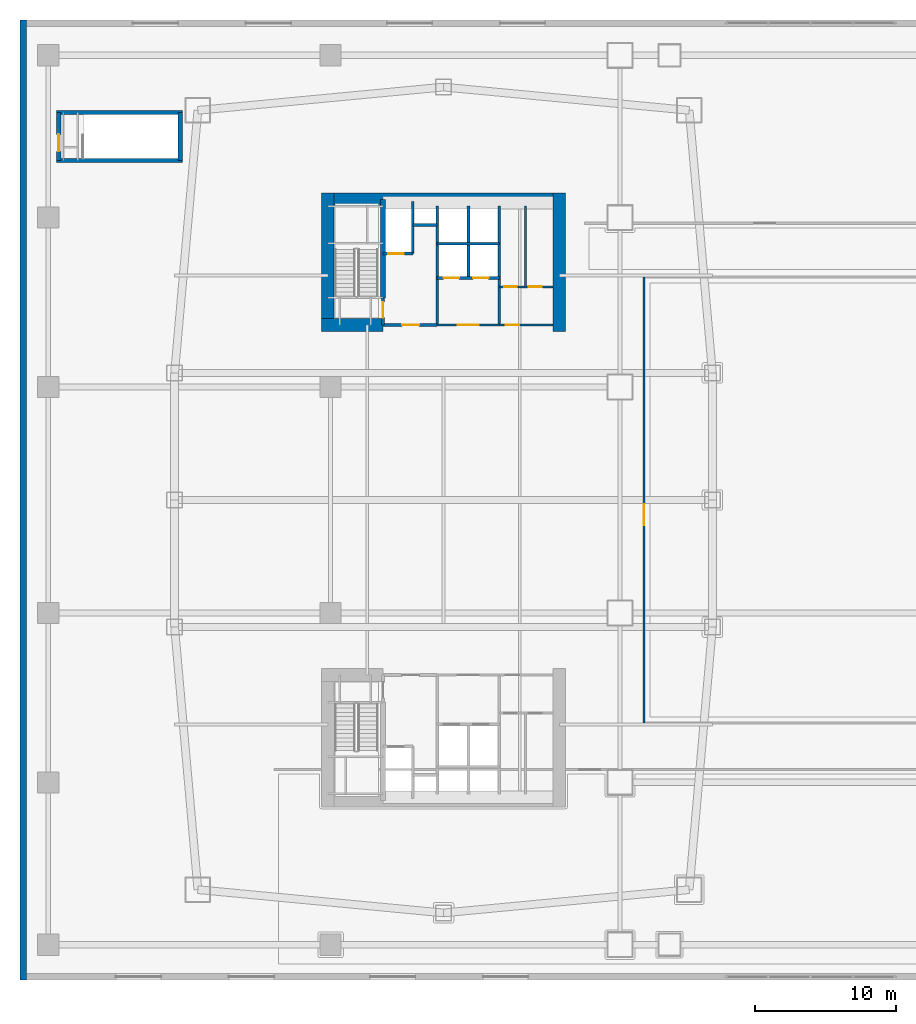
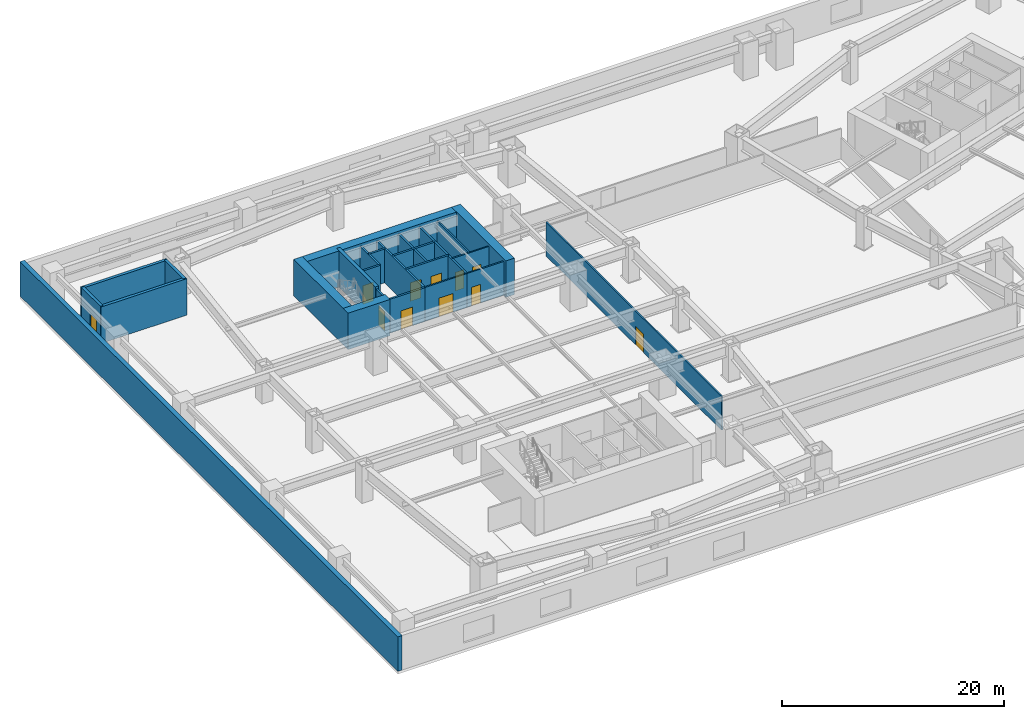
# One storey, part 16 of 25: 25 walls, 11 doors, 11 openings.
"""IFC4 building model written with IfcOpenShell, lengths in metres."""

from ifc_helpers import new_model, si_unit, direction, frame, frame_2d, origin, place, context, subcontext, project, spatial, rectangle, extrude, material, layer, layer_set, type_object, element, fill, save


model = new_model("IFC4")

# Units and contexts
model_context = context("Model", 3, precision=1e-05, world=origin(), true_north=direction((0.0, 1.0)))
body_context = subcontext(model_context, "Body", "Model", "MODEL_VIEW")
ifc_project = project(units=[si_unit("LENGTHUNIT", "METRE"), si_unit("AREAUNIT", "SQUARE_METRE"), si_unit("VOLUMEUNIT", "CUBIC_METRE"), si_unit("PLANEANGLEUNIT", "RADIAN"), si_unit("MASSUNIT", "GRAM", prefix="KILO")], contexts=[model_context])

# Site, building, storey
site_placement = place(None, origin())
site = spatial("IfcSite", under=ifc_project, at=site_placement, CompositionType="ELEMENT")
building_placement = place(site_placement, origin())
building = spatial("IfcBuilding", under=site, at=building_placement, Name="Qiaolan Cultural Towers", CompositionType="ELEMENT")
storey_placement = place(building_placement, frame((0.0, 0.0, 22.0)))
storey = spatial("IfcBuildingStorey", under=building, at=storey_placement, Name="L04", CompositionType="ELEMENT", Elevation=22.0)

# Walls
ifc_material_1 = material(Name="Concrete C50", Category="concrete")
ifc_layer_1 = layer(ifc_material_1, 0.35009765625)
ifc_layer_set_1 = layer_set([ifc_layer_1], Name="Concrete C50")
wall_type_1 = type_object("IfcWallType", Name="WL-CORE-350", PredefinedType="SHEAR", material=ifc_layer_set_1)
wall_1_placement = place(storey_placement, frame((25.719970703125, 48.300048828125, 0.0), z_axis=(0.0, 0.0, 1.0), x_axis=(0.0, 1.0, 0.0)))
element("IfcWall", 1, at=wall_1_placement, inside=storey, type_object=wall_type_1, Name="L04 T1-CN Stair Core Dividing Web", PredefinedType="SHEAR", context=body_context, shape_type="SweptSolid", body=[
    extrude(rectangle(XDim=6.97998046875, YDim=0.35009765625, at=frame_2d((3.489990234375, 0.0))), origin(), (0.0, 0.0, 1.0), 4.0),
])
for number, where, z_axis, x_axis, name in (
    (2, (2.60009765625, 58.050048828125, 0.0), (0.0, 0.0, 1.0), (1.0, 0.0, 0.0), "L04 STP1 Stair Shaft Wall S"),
    (3, (2.60009765625, 61.449951171875, 0.0), (0.0, 0.0, 1.0), (1.0, 0.0, 0.0), "L04 STP1 Stair Shaft Wall N"),
):
    element("IfcWall", number, at=place(storey_placement, frame(where, z_axis=z_axis, x_axis=x_axis)), inside=storey, type_object=wall_type_1, Name=name, PredefinedType="SHEAR", context=body_context, shape_type="SweptSolid", body=[
        extrude(rectangle(XDim=8.89990234375, YDim=0.300048828125, at=frame_2d((4.449951171875, 0.0))), origin(), (0.0, 0.0, 1.0), 4.0),
    ])
wall_2_placement = place(storey_placement, frame((11.35009765625, 58.050048828125, 0.0), z_axis=(0.0, 0.0, 1.0), x_axis=(0.0, 1.0, 0.0)))
element("IfcWall", 4, at=wall_2_placement, inside=storey, type_object=wall_type_1, Name="L04 STP1 Stair Shaft Wall E", PredefinedType="SHEAR", context=body_context, shape_type="SweptSolid", body=[
    extrude(rectangle(XDim=3.39990234375, YDim=0.300048828125, at=frame_2d((1.699951171875, 0.0))), origin(), (0.0, 0.0, 1.0), 4.0),
])

# Wall, opening, door
wall_3_placement = place(storey_placement, frame((2.75, 58.050048828125, 0.0), z_axis=(0.0, 0.0, 1.0), x_axis=(0.0, 1.0, 0.0)))
wall_3 = element("IfcWall", 5, at=wall_3_placement, inside=storey, type_object=wall_type_1, Name="L04 STP1 Stair Shaft Wall W", PredefinedType="SHEAR", context=body_context, shape_type="SweptSolid", body=[
    extrude(rectangle(XDim=3.39990234375, YDim=0.300048828125, at=frame_2d((1.699951171875, 0.0))), origin(), (0.0, 0.0, 1.0), 4.0),
])
opening_1_placement = place(wall_3_placement, frame((0.64990234375, 0.0, 0.0)))
opening_1 = element("IfcOpeningElement", 6, at=opening_1_placement, cuts=wall_3, Name="Opening FD-03", PredefinedType="OPENING", context=body_context, shape_type="SweptSolid", body=[
    extrude(rectangle(XDim=1.199951171875, YDim=2.050048828125, at=frame_2d((0.60009765625, 1.02490234375))), frame((0.0, 0.159912109375, 0.0), z_axis=(0.0, -1.0, 0.0), x_axis=(1.0, 0.0, 0.0)), (0.0, 0.0, 1.0), 0.320068359375),
])
ifc_material_2 = material(Name="Galvanized Steel Smokeproof Lobby Fire Door", Category="steel")
door_type_1 = type_object("IfcDoorType", Name="DR-FD90-1200", OperationType="NOTDEFINED", PredefinedType="DOOR", material=ifc_material_2)
door_1_placement = place(opening_1_placement, origin())
door_1 = element("IfcDoor", 7, at=door_1_placement, inside=storey, type_object=door_type_1, Name="L04 Exit Stair ST-P1 Fire Door", OperationType="SINGLE_SWING_LEFT", OverallHeight=2.050048828125, OverallWidth=1.199951171875, PredefinedType="DOOR", context=body_context, shape_type="SweptSolid", body=[
    extrude(rectangle(XDim=1.199951171875, YDim=2.050048828125, at=frame_2d((0.60009765625, 1.02490234375))), frame((0.0, 0.02490234375, 0.0), z_axis=(0.0, -1.0, 0.0), x_axis=(1.0, 0.0, 0.0)), (0.0, 0.0, 1.0), 0.050048828125),
])
fill(opening_1, door_1)

# Walls
ifc_material_3 = material(Name="Concrete C60", Category="concrete")
ifc_layer_2 = layer(ifc_material_3, 0.89990234375)
ifc_layer_set_2 = layer_set([ifc_layer_2], Name="Concrete C60")
wall_type_2 = type_object("IfcWallType", Name="WL-CORE-900", PredefinedType="SHEAR", material=ifc_layer_set_2)
wall_4_placement = place(storey_placement, frame((21.35009765625, 55.280029296875, 0.0), z_axis=(0.0, 0.0, 1.0), x_axis=(1.0, 0.0, 0.0)))
element("IfcWall", 8, at=wall_4_placement, inside=storey, type_object=wall_type_2, Name="L04 T1-CN Outer Core Shear Wall", PredefinedType="SHEAR", context=body_context, shape_type="SweptSolid", body=[
    extrude(rectangle(XDim=17.2998046875, YDim=0.89990234375, at=frame_2d((8.64990234375, 0.0))), origin(), (0.0, 0.0, 1.0), 4.0),
])
for number, where, z_axis, x_axis, name in (
    (9, (21.800048828125, 45.949951171875, 0.0), (0.0, 0.0, 1.0), (0.0, 1.0, 0.0), "L04 T1-CN West Core Shear Wall"),
    (10, (38.199951171875, 45.949951171875, 0.0), (0.0, 0.0, 1.0), (0.0, 1.0, 0.0), "L04 T1-CN East Core Shear Wall"),
):
    element("IfcWall", number, at=place(storey_placement, frame(where, z_axis=z_axis, x_axis=x_axis)), inside=storey, type_object=wall_type_2, Name=name, PredefinedType="SHEAR", context=body_context, shape_type="SweptSolid", body=[
        extrude(rectangle(XDim=9.780029296875, YDim=0.89990234375, at=frame_2d((4.89013671875, 0.0))), origin(), (0.0, 0.0, 1.0), 4.0),
    ])
wall_5_placement = place(storey_placement, frame((21.35009765625, 46.39990234375, 0.0), z_axis=(0.0, 0.0, 1.0), x_axis=(1.0, 0.0, 0.0)))
element("IfcWall", 11, at=wall_5_placement, inside=storey, type_object=wall_type_2, Name="L04 T1-CN Stair Front Shear Wall", PredefinedType="SHEAR", context=body_context, shape_type="SweptSolid", body=[
    extrude(rectangle(XDim=4.369873046875, YDim=0.89990234375, at=frame_2d((2.18505859375, 0.0))), origin(), (0.0, 0.0, 1.0), 4.0),
])
ifc_material_4 = material(Name="Precast Concrete C50 Bush-Hammered Granite Pier", Category="masonry")
ifc_layer_3 = layer(ifc_material_4, 0.449951171875)
ifc_layer_set_3 = layer_set([ifc_layer_3], Name="Precast Concrete C50 Bush-Hammered Granite Pier")
wall_type_3 = type_object("IfcWallType", Name="WL-EXT-POD-450", PredefinedType="SOLIDWALL", material=ifc_layer_set_3)
wall_6_placement = place(storey_placement, frame((0.22509765625, 0.0, 0.0), z_axis=(0.0, 0.0, 1.0), x_axis=(0.0, 1.0, 0.0)))
element("IfcWall", 12, at=wall_6_placement, inside=storey, type_object=wall_type_3, Name="L04 Podium Precast Facade Wall WEST", PredefinedType="SOLIDWALL", context=body_context, shape_type="SweptSolid", body=[
    extrude(rectangle(XDim=68.0, YDim=0.449951171875, at=frame_2d((34.0, 0.0))), origin(), (0.0, 0.0, 1.0), 3.780029296875),
])

# Wall, opening, door
ifc_material_5 = material(Name="Concrete C35 Fire Wall", Category="concrete")
ifc_layer_4 = layer(ifc_material_5, 0.199951171875)
ifc_layer_set_4 = layer_set([ifc_layer_4], Name="Concrete C35 Fire Wall")
wall_type_4 = type_object("IfcWallType", Name="WL-FIRE-200", PredefinedType="PARTITIONING", material=ifc_layer_set_4)
wall_7_placement = place(storey_placement, frame((25.719970703125, 46.39990234375, 0.0), z_axis=(0.0, 0.0, 1.0), x_axis=(0.0, 1.0, 0.0)))
wall_7 = element("IfcWall", 13, at=wall_7_placement, inside=storey, type_object=wall_type_4, Name="L04 T1-CN Smokeproof Stair Entry Wall", PredefinedType="PARTITIONING", context=body_context, shape_type="SweptSolid", body=[
    extrude(rectangle(XDim=1.900146484375, YDim=0.199951171875, at=frame_2d((0.9501953125, 0.0))), origin(), (0.0, 0.0, 1.0), 3.72509765625),
])
opening_2_placement = place(wall_7_placement, frame((0.52001953125, 0.0, 0.0)))
opening_2 = element("IfcOpeningElement", 14, at=opening_2_placement, cuts=wall_7, Name="Opening FD-04", PredefinedType="OPENING", context=body_context, shape_type="SweptSolid", body=[
    extrude(rectangle(XDim=1.10009765625, YDim=2.050048828125, at=frame_2d((0.550048828125, 1.02490234375))), frame((0.0, 0.10986328125, 0.0), z_axis=(0.0, -1.0, 0.0), x_axis=(1.0, 0.0, 0.0)), (0.0, 0.0, 1.0), 0.219970703125),
])
ifc_material_6 = material(Name="Galvanized Steel Command Fire Door", Category="steel")
door_type_2 = type_object("IfcDoorType", Name="DR-FD90-1100", OperationType="NOTDEFINED", PredefinedType="DOOR", material=ifc_material_6)
door_2_placement = place(opening_2_placement, origin())
door_2 = element("IfcDoor", 15, at=door_2_placement, inside=storey, type_object=door_type_2, Name="L04 ST-W2 Smokeproof Stair Fire Door", OperationType="SINGLE_SWING_LEFT", OverallHeight=2.050048828125, OverallWidth=1.10009765625, PredefinedType="DOOR", context=body_context, shape_type="SweptSolid", body=[
    extrude(rectangle(XDim=1.10009765625, YDim=2.050048828125, at=frame_2d((0.550048828125, 1.02490234375))), frame((0.0, 0.02490234375, 0.0), z_axis=(0.0, -1.0, 0.0), x_axis=(1.0, 0.0, 0.0)), (0.0, 0.0, 1.0), 0.050048828125),
])
fill(opening_2, door_2)

# Wall
wall_8_placement = place(storey_placement, frame((29.550048828125, 46.39990234375, 0.0), z_axis=(0.0, 0.0, 1.0), x_axis=(0.0, 1.0, 0.0)))
element("IfcWall", 16, at=wall_8_placement, inside=storey, type_object=wall_type_4, Name="L04 T1-CN Firefighting Zone Wall", PredefinedType="PARTITIONING", context=body_context, shape_type="SweptSolid", body=[
    extrude(rectangle(XDim=8.43017578125, YDim=0.199951171875, at=frame_2d((4.215087890625, 0.0))), origin(), (0.0, 0.0, 1.0), 3.72509765625),
])

# Wall, opening, door
wall_9_placement = place(storey_placement, frame((25.719970703125, 46.39990234375, 0.0), z_axis=(0.0, 0.0, 1.0), x_axis=(1.0, 0.0, 0.0)))
wall_9 = element("IfcWall", 17, at=wall_9_placement, inside=storey, type_object=wall_type_4, Name="L04 T1-CN Firefighting Lobby Front Wall", PredefinedType="PARTITIONING", context=body_context, shape_type="SweptSolid", body=[
    extrude(rectangle(XDim=3.830078125, YDim=0.199951171875, at=frame_2d((1.9150390625, 0.0))), origin(), (0.0, 0.0, 1.0), 3.72509765625),
])
opening_3_placement = place(wall_9_placement, frame((1.35009765625, 0.0, 0.0)))
opening_3 = element("IfcOpeningElement", 18, at=opening_3_placement, cuts=wall_9, Name="Opening FD-03", PredefinedType="OPENING", context=body_context, shape_type="SweptSolid", body=[
    extrude(rectangle(XDim=1.199951171875, YDim=2.050048828125, at=frame_2d((0.60009765625, 1.02490234375))), frame((0.0, 0.10986328125, 0.0), z_axis=(0.0, -1.0, 0.0), x_axis=(1.0, 0.0, 0.0)), (0.0, 0.0, 1.0), 0.219970703125),
])
door_3_placement = place(opening_3_placement, origin())
door_3 = element("IfcDoor", 19, at=door_3_placement, inside=storey, type_object=door_type_1, Name="L04 FFL-W2 Firefighting Lobby Fire Door", OperationType="SINGLE_SWING_LEFT", OverallHeight=2.050048828125, OverallWidth=1.199951171875, PredefinedType="DOOR", context=body_context, shape_type="SweptSolid", body=[
    extrude(rectangle(XDim=1.199951171875, YDim=2.050048828125, at=frame_2d((0.60009765625, 1.02490234375))), frame((0.0, 0.02490234375, 0.0), z_axis=(0.0, -1.0, 0.0), x_axis=(1.0, 0.0, 0.0)), (0.0, 0.0, 1.0), 0.050048828125),
])
fill(opening_3, door_3)

wall_10_placement = place(storey_placement, frame((25.719970703125, 51.449951171875, 0.0), z_axis=(0.0, 0.0, 1.0), x_axis=(1.0, 0.0, 0.0)))
wall_10 = element("IfcWall", 20, at=wall_10_placement, inside=storey, type_object=wall_type_4, Name="L04 T1-CN Firefighting Shaft Front Wall", PredefinedType="PARTITIONING", context=body_context, shape_type="SweptSolid", body=[
    extrude(rectangle(XDim=2.10009765625, YDim=0.199951171875, at=frame_2d((1.050048828125, 0.0))), origin(), (0.0, 0.0, 1.0), 3.72509765625),
])
opening_4_placement = place(wall_10_placement, frame((0.35009765625, 0.0, 0.0)))
opening_4 = element("IfcOpeningElement", 21, at=opening_4_placement, cuts=wall_10, Name="Opening LD-01", PredefinedType="OPENING", context=body_context, shape_type="SweptSolid", body=[
    extrude(rectangle(XDim=1.10009765625, YDim=2.050048828125, at=frame_2d((0.550048828125, 1.02490234375))), frame((0.0, 0.10986328125, 0.0), z_axis=(0.0, -1.0, 0.0), x_axis=(1.0, 0.0, 0.0)), (0.0, 0.0, 1.0), 0.219970703125),
])
ifc_material_7 = material(Name="Brushed Stainless Steel S30408 Centre-Parting Lift Landing Door", Category="steel")
door_type_3 = type_object("IfcDoorType", Name="DR-LIFT-1100", OperationType="NOTDEFINED", PredefinedType="DOOR", material=ifc_material_7)
door_4_placement = place(opening_4_placement, origin())
door_4 = element("IfcDoor", 22, at=door_4_placement, inside=storey, type_object=door_type_3, Name="L04 FFL-W2 Firefighting Lift Landing Door", OperationType="DOUBLE_DOOR_SLIDING", OverallHeight=2.050048828125, OverallWidth=1.10009765625, PredefinedType="DOOR", context=body_context, shape_type="SweptSolid", body=[
    extrude(rectangle(XDim=1.10009765625, YDim=2.050048828125, at=frame_2d((0.550048828125, 1.02490234375))), frame((0.0, 0.02490234375, 0.0), z_axis=(0.0, -1.0, 0.0), x_axis=(1.0, 0.0, 0.0)), (0.0, 0.0, 1.0), 0.050048828125),
])
fill(opening_4, door_4)

# Walls
wall_11_placement = place(storey_placement, frame((27.820068359375, 51.449951171875, 0.0), z_axis=(0.0, 0.0, 1.0), x_axis=(0.0, 1.0, 0.0)))
element("IfcWall", 23, at=wall_11_placement, inside=storey, type_object=wall_type_4, Name="L04 T1-CN Firefighting Hoistway East Wall", PredefinedType="PARTITIONING", context=body_context, shape_type="SweptSolid", body=[
    extrude(rectangle(XDim=3.699951171875, YDim=0.199951171875, at=frame_2d((1.85009765625, 0.0))), origin(), (0.0, 0.0, 1.0), 3.72509765625),
])
wall_12_placement = place(storey_placement, frame((27.820068359375, 53.47998046875, 0.0), z_axis=(0.0, 0.0, 1.0), x_axis=(1.0, 0.0, 0.0)))
element("IfcWall", 24, at=wall_12_placement, inside=storey, type_object=wall_type_4, Name="L04 T1-CN Pressurization Shaft Front Wall", PredefinedType="PARTITIONING", context=body_context, shape_type="SweptSolid", body=[
    extrude(rectangle(XDim=1.72998046875, YDim=0.199951171875, at=frame_2d((0.864990234375, 0.0))), origin(), (0.0, 0.0, 1.0), 3.72509765625),
])
wall_13_placement = place(storey_placement, frame((33.949951171875, 46.39990234375, 0.0), z_axis=(0.0, 0.0, 1.0), x_axis=(0.0, 1.0, 0.0)))
element("IfcWall", 25, at=wall_13_placement, inside=storey, type_object=wall_type_4, Name="L04 T1-CN Lift Core East Wall", PredefinedType="PARTITIONING", context=body_context, shape_type="SweptSolid", body=[
    extrude(rectangle(XDim=8.43017578125, YDim=0.199951171875, at=frame_2d((4.215087890625, 0.0))), origin(), (0.0, 0.0, 1.0), 3.72509765625),
])

# Wall, openings, doors
wall_14_placement = place(storey_placement, frame((29.550048828125, 49.719970703125, 0.0), z_axis=(0.0, 0.0, 1.0), x_axis=(1.0, 0.0, 0.0)))
wall_14 = element("IfcWall", 26, at=wall_14_placement, inside=storey, type_object=wall_type_4, Name="L04 T1-CN Passenger Lift Shaft Front Wall", PredefinedType="PARTITIONING", context=body_context, shape_type="SweptSolid", body=[
    extrude(rectangle(XDim=4.39990234375, YDim=0.199951171875, at=frame_2d((2.199951171875, 0.0))), origin(), (0.0, 0.0, 1.0), 3.72509765625),
])
opening_5_placement = place(wall_14_placement, frame((0.449951171875, 0.0, 0.0)))
opening_5 = element("IfcOpeningElement", 27, at=opening_5_placement, cuts=wall_14, Name="Opening LD-01", PredefinedType="OPENING", context=body_context, shape_type="SweptSolid", body=[
    extrude(rectangle(XDim=1.10009765625, YDim=2.050048828125, at=frame_2d((0.550048828125, 1.02490234375))), frame((0.0, 0.10986328125, 0.0), z_axis=(0.0, -1.0, 0.0), x_axis=(1.0, 0.0, 0.0)), (0.0, 0.0, 1.0), 0.219970703125),
])
opening_6_placement = place(wall_14_placement, frame((2.550048828125, 0.0, 0.0)))
opening_6 = element("IfcOpeningElement", 28, at=opening_6_placement, cuts=wall_14, Name="Opening LD-01", PredefinedType="OPENING", context=body_context, shape_type="SweptSolid", body=[
    extrude(rectangle(XDim=1.10009765625, YDim=2.050048828125, at=frame_2d((0.550048828125, 1.02490234375))), frame((0.0, 0.10986328125, 0.0), z_axis=(0.0, -1.0, 0.0), x_axis=(1.0, 0.0, 0.0)), (0.0, 0.0, 1.0), 0.219970703125),
])
door_5_placement = place(opening_5_placement, origin())
door_5 = element("IfcDoor", 29, at=door_5_placement, inside=storey, type_object=door_type_3, Name="L04 Passenger Lift 1 Landing Door", OperationType="DOUBLE_DOOR_SLIDING", OverallHeight=2.050048828125, OverallWidth=1.10009765625, PredefinedType="DOOR", context=body_context, shape_type="SweptSolid", body=[
    extrude(rectangle(XDim=1.10009765625, YDim=2.050048828125, at=frame_2d((0.550048828125, 1.02490234375))), frame((0.0, 0.02490234375, 0.0), z_axis=(0.0, -1.0, 0.0), x_axis=(1.0, 0.0, 0.0)), (0.0, 0.0, 1.0), 0.050048828125),
])
fill(opening_5, door_5)
door_6_placement = place(opening_6_placement, origin())
door_6 = element("IfcDoor", 30, at=door_6_placement, inside=storey, type_object=door_type_3, Name="L04 Passenger Lift 2 Landing Door", OperationType="DOUBLE_DOOR_SLIDING", OverallHeight=2.050048828125, OverallWidth=1.10009765625, PredefinedType="DOOR", context=body_context, shape_type="SweptSolid", body=[
    extrude(rectangle(XDim=1.10009765625, YDim=2.050048828125, at=frame_2d((0.550048828125, 1.02490234375))), frame((0.0, 0.02490234375, 0.0), z_axis=(0.0, -1.0, 0.0), x_axis=(1.0, 0.0, 0.0)), (0.0, 0.0, 1.0), 0.050048828125),
])
fill(opening_6, door_6)

# Walls
wall_15_placement = place(storey_placement, frame((31.780029296875, 49.719970703125, 0.0), z_axis=(0.0, 0.0, 1.0), x_axis=(0.0, 1.0, 0.0)))
element("IfcWall", 31, at=wall_15_placement, inside=storey, type_object=wall_type_4, Name="L04 T1-CN Lift Shaft Divider Wall", PredefinedType="PARTITIONING", context=body_context, shape_type="SweptSolid", body=[
    extrude(rectangle(XDim=5.110107421875, YDim=0.199951171875, at=frame_2d((2.55517578125, 0.0))), origin(), (0.0, 0.0, 1.0), 3.72509765625),
])
wall_16_placement = place(storey_placement, frame((29.550048828125, 52.14990234375, 0.0), z_axis=(0.0, 0.0, 1.0), x_axis=(1.0, 0.0, 0.0)))
element("IfcWall", 32, at=wall_16_placement, inside=storey, type_object=wall_type_4, Name="L04 T1-CN Passenger Lift Shaft Back Wall", PredefinedType="PARTITIONING", context=body_context, shape_type="SweptSolid", body=[
    extrude(rectangle(XDim=4.39990234375, YDim=0.199951171875, at=frame_2d((2.199951171875, 0.0))), origin(), (0.0, 0.0, 1.0), 3.72509765625),
])

# Wall, opening, door
ifc_material_8 = material(Name="Autoclaved Aerated Concrete Block B06", Category="concrete")
ifc_layer_5 = layer(ifc_material_8, 0.14990234375)
ifc_layer_set_5 = layer_set([ifc_layer_5], Name="Autoclaved Aerated Concrete Block B06")
wall_type_5 = type_object("IfcWallType", Name="WL-PART-150", PredefinedType="PARTITIONING", material=ifc_layer_set_5)
wall_17_placement = place(storey_placement, frame((29.550048828125, 46.39990234375, 0.0), z_axis=(0.0, 0.0, 1.0), x_axis=(1.0, 0.0, 0.0)))
wall_17 = element("IfcWall", 33, at=wall_17_placement, inside=storey, type_object=wall_type_5, Name="L04 T1-CN Passenger Lift Lobby Front Wall", PredefinedType="PARTITIONING", context=body_context, shape_type="SweptSolid", body=[
    extrude(rectangle(XDim=4.39990234375, YDim=0.14990234375, at=frame_2d((2.199951171875, 0.0))), origin(), (0.0, 0.0, 1.0), 3.72509765625),
])
opening_7_placement = place(wall_17_placement, frame((1.449951171875, 0.0, 0.0)))
opening_7 = element("IfcOpeningElement", 34, at=opening_7_placement, cuts=wall_17, Name="Opening FD-05", PredefinedType="OPENING", context=body_context, shape_type="SweptSolid", body=[
    extrude(rectangle(XDim=1.5, YDim=2.050048828125, at=frame_2d((0.75, 1.02490234375))), frame((0.0, 0.0849609375, 0.0), z_axis=(0.0, -1.0, 0.0), x_axis=(1.0, 0.0, 0.0)), (0.0, 0.0, 1.0), 0.169921875),
])
ifc_material_9 = material(Name="Painted Steel Lift Lobby Fire Door", Category="steel")
door_type_4 = type_object("IfcDoorType", Name="DR-FD60-1500", OperationType="NOTDEFINED", PredefinedType="DOOR", material=ifc_material_9)
door_7_placement = place(opening_7_placement, origin())
door_7 = element("IfcDoor", 35, at=door_7_placement, inside=storey, type_object=door_type_4, Name="L04 Passenger Lift Lobby Entrance", OperationType="SINGLE_SWING_LEFT", OverallHeight=2.050048828125, OverallWidth=1.5, PredefinedType="DOOR", context=body_context, shape_type="SweptSolid", body=[
    extrude(rectangle(XDim=1.5, YDim=2.050048828125, at=frame_2d((0.75, 1.02490234375))), frame((0.0, 0.02490234375, 0.0), z_axis=(0.0, -1.0, 0.0), x_axis=(1.0, 0.0, 0.0)), (0.0, 0.0, 1.0), 0.050048828125),
])
fill(opening_7, door_7)

wall_18_placement = place(storey_placement, frame((33.949951171875, 46.39990234375, 0.0), z_axis=(0.0, 0.0, 1.0), x_axis=(1.0, 0.0, 0.0)))
wall_18 = element("IfcWall", 36, at=wall_18_placement, inside=storey, type_object=wall_type_5, Name="L04 T1-CN Sanitary Core Front Wall", PredefinedType="PARTITIONING", context=body_context, shape_type="SweptSolid", body=[
    extrude(rectangle(XDim=3.800048828125, YDim=0.14990234375, at=frame_2d((1.89990234375, 0.0))), origin(), (0.0, 0.0, 1.0), 3.72509765625),
])
opening_8_placement = place(wall_18_placement, frame((0.449951171875, 0.0, 0.0)))
opening_8 = element("IfcOpeningElement", 37, at=opening_8_placement, cuts=wall_18, Name="Opening ID-05", PredefinedType="OPENING", context=body_context, shape_type="SweptSolid", body=[
    extrude(rectangle(XDim=0.949951171875, YDim=2.050048828125, at=frame_2d((0.47509765625, 1.02490234375))), frame((0.0, 0.0849609375, 0.0), z_axis=(0.0, -1.0, 0.0), x_axis=(1.0, 0.0, 0.0)), (0.0, 0.0, 1.0), 0.169921875),
])
ifc_material_10 = material(Name="Fire-Rated Laminate Accessible Core Door", Category="timber")
door_type_5 = type_object("IfcDoorType", Name="DR-INT-950", OperationType="NOTDEFINED", PredefinedType="DOOR", material=ifc_material_10)
door_8_placement = place(opening_8_placement, origin())
door_8 = element("IfcDoor", 38, at=door_8_placement, inside=storey, type_object=door_type_5, Name="L04 Sanitary Vestibule Door", OperationType="SINGLE_SWING_LEFT", OverallHeight=2.050048828125, OverallWidth=0.949951171875, PredefinedType="DOOR", context=body_context, shape_type="SweptSolid", body=[
    extrude(rectangle(XDim=0.949951171875, YDim=2.050048828125, at=frame_2d((0.47509765625, 1.02490234375))), frame((0.0, 0.02490234375, 0.0), z_axis=(0.0, -1.0, 0.0), x_axis=(1.0, 0.0, 0.0)), (0.0, 0.0, 1.0), 0.050048828125),
])
fill(opening_8, door_8)

# Wall, openings, doors
wall_19_placement = place(storey_placement, frame((33.949951171875, 49.10009765625, 0.0), z_axis=(0.0, 0.0, 1.0), x_axis=(1.0, 0.0, 0.0)))
wall_19 = element("IfcWall", 39, at=wall_19_placement, inside=storey, type_object=wall_type_5, Name="L04 T1-CN Restroom Vestibule Wall", PredefinedType="PARTITIONING", context=body_context, shape_type="SweptSolid", body=[
    extrude(rectangle(XDim=3.800048828125, YDim=0.14990234375, at=frame_2d((1.89990234375, 0.0))), origin(), (0.0, 0.0, 1.0), 3.72509765625),
])
opening_9_placement = place(wall_19_placement, frame((0.35009765625, 0.0, 0.0)))
opening_9 = element("IfcOpeningElement", 40, at=opening_9_placement, cuts=wall_19, Name="Opening ID-06", PredefinedType="OPENING", context=body_context, shape_type="SweptSolid", body=[
    extrude(rectangle(XDim=0.89990234375, YDim=2.050048828125, at=frame_2d((0.449951171875, 1.02490234375))), frame((0.0, 0.0849609375, 0.0), z_axis=(0.0, -1.0, 0.0), x_axis=(1.0, 0.0, 0.0)), (0.0, 0.0, 1.0), 0.169921875),
])
opening_10_placement = place(wall_19_placement, frame((2.10009765625, 0.0, 0.0)))
opening_10 = element("IfcOpeningElement", 41, at=opening_10_placement, cuts=wall_19, Name="Opening ID-06", PredefinedType="OPENING", context=body_context, shape_type="SweptSolid", body=[
    extrude(rectangle(XDim=0.89990234375, YDim=2.050048828125, at=frame_2d((0.449951171875, 1.02490234375))), frame((0.0, 0.0849609375, 0.0), z_axis=(0.0, -1.0, 0.0), x_axis=(1.0, 0.0, 0.0)), (0.0, 0.0, 1.0), 0.169921875),
])
ifc_material_11 = material(Name="Fire-Rated Laminate Core Service Door", Category="timber")
door_type_6 = type_object("IfcDoorType", Name="DR-INT-900", OperationType="NOTDEFINED", PredefinedType="DOOR", material=ifc_material_11)
door_9_placement = place(opening_9_placement, origin())
door_9 = element("IfcDoor", 42, at=door_9_placement, inside=storey, type_object=door_type_6, Name="L04 Men Restroom Door", OperationType="SINGLE_SWING_LEFT", OverallHeight=2.050048828125, OverallWidth=0.89990234375, PredefinedType="DOOR", context=body_context, shape_type="SweptSolid", body=[
    extrude(rectangle(XDim=0.89990234375, YDim=2.050048828125, at=frame_2d((0.449951171875, 1.02490234375))), frame((0.0, 0.02490234375, 0.0), z_axis=(0.0, -1.0, 0.0), x_axis=(1.0, 0.0, 0.0)), (0.0, 0.0, 1.0), 0.050048828125),
])
fill(opening_9, door_9)
door_10_placement = place(opening_10_placement, origin())
door_10 = element("IfcDoor", 43, at=door_10_placement, inside=storey, type_object=door_type_6, Name="L04 Accessible & Women Restroom Door", OperationType="SINGLE_SWING_RIGHT", OverallHeight=2.050048828125, OverallWidth=0.89990234375, PredefinedType="DOOR", context=body_context, shape_type="SweptSolid", body=[
    extrude(rectangle(XDim=0.89990234375, YDim=2.050048828125, at=frame_2d((0.449951171875, 1.02490234375))), frame((0.0, 0.02490234375, 0.0), z_axis=(0.0, -1.0, 0.0), x_axis=(1.0, 0.0, 0.0)), (0.0, 0.0, 1.0), 0.050048828125),
])
fill(opening_10, door_10)

# Wall
wall_20_placement = place(storey_placement, frame((35.800048828125, 49.10009765625, 0.0), z_axis=(0.0, 0.0, 1.0), x_axis=(0.0, 1.0, 0.0)))
element("IfcWall", 44, at=wall_20_placement, inside=storey, type_object=wall_type_5, Name="L04 T1-CN Restroom Divider Wall", PredefinedType="PARTITIONING", context=body_context, shape_type="SweptSolid", body=[
    extrude(rectangle(XDim=5.72998046875, YDim=0.14990234375, at=frame_2d((2.864990234375, 0.0))), origin(), (0.0, 0.0, 1.0), 3.72509765625),
])

# Wall, opening, door
wall_21_placement = place(storey_placement, frame((44.199951171875, 18.199951171875, 0.0), z_axis=(0.0, 0.0, 1.0), x_axis=(0.0, 1.0, 0.0)))
wall_21 = element("IfcWall", 45, at=wall_21_placement, inside=storey, type_object=wall_type_5, Name="L04 Podium Partition L04-D1", PredefinedType="PARTITIONING", context=body_context, shape_type="SweptSolid", body=[
    extrude(rectangle(XDim=31.60009765625, YDim=0.14990234375, at=frame_2d((15.800048828125, 0.0))), origin(), (0.0, 0.0, 1.0), 3.72509765625),
])
opening_11_placement = place(wall_21_placement, frame((14.0, 0.0, 0.0)))
opening_11 = element("IfcOpeningElement", 46, at=opening_11_placement, cuts=wall_21, Name="Opening ID-01", PredefinedType="OPENING", context=body_context, shape_type="SweptSolid", body=[
    extrude(rectangle(XDim=1.5, YDim=2.050048828125, at=frame_2d((0.75, 1.02490234375))), frame((0.0, 0.0849609375, 0.0), z_axis=(0.0, -1.0, 0.0), x_axis=(1.0, 0.0, 0.0)), (0.0, 0.0, 1.0), 0.169921875),
])
ifc_material_12 = material(Name="Oak Veneer Solid-Core Double Leaf Door", Category="timber")
door_type_7 = type_object("IfcDoorType", Name="DR-INT-1500", OperationType="NOTDEFINED", PredefinedType="DOOR", material=ifc_material_12)
door_11_placement = place(opening_11_placement, origin())
door_11 = element("IfcDoor", 47, at=door_11_placement, inside=storey, type_object=door_type_7, Name="L04 Central Reading Atrium West Door", OperationType="SINGLE_SWING_LEFT", OverallHeight=2.050048828125, OverallWidth=1.5, PredefinedType="DOOR", context=body_context, shape_type="SweptSolid", body=[
    extrude(rectangle(XDim=1.5, YDim=2.050048828125, at=frame_2d((0.75, 1.02490234375))), frame((0.0, 0.02490234375, 0.0), z_axis=(0.0, -1.0, 0.0), x_axis=(1.0, 0.0, 0.0)), (0.0, 0.0, 1.0), 0.050048828125),
])
fill(opening_11, door_11)

save(model, "model.ifc")
